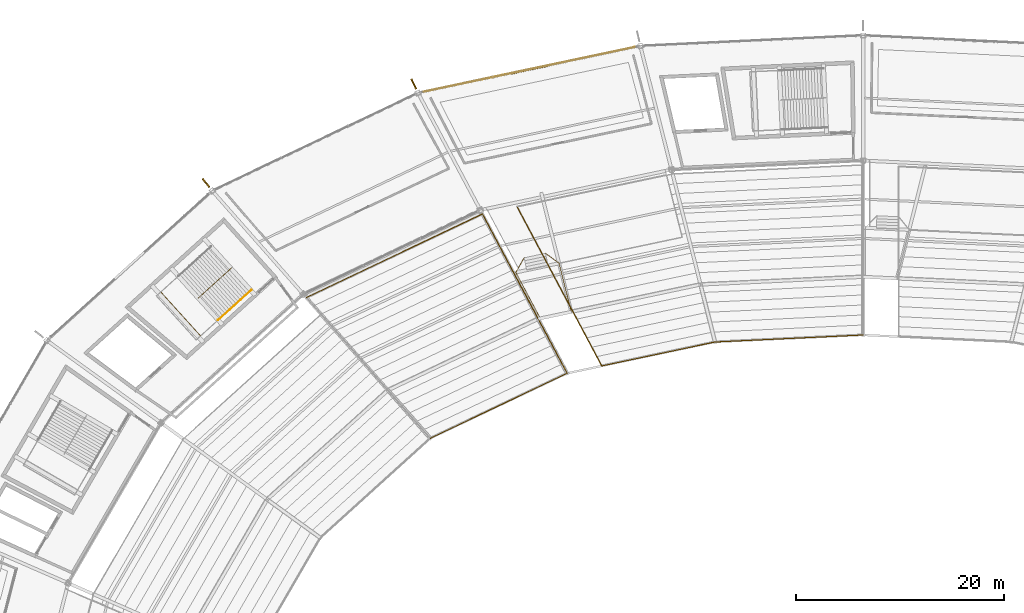
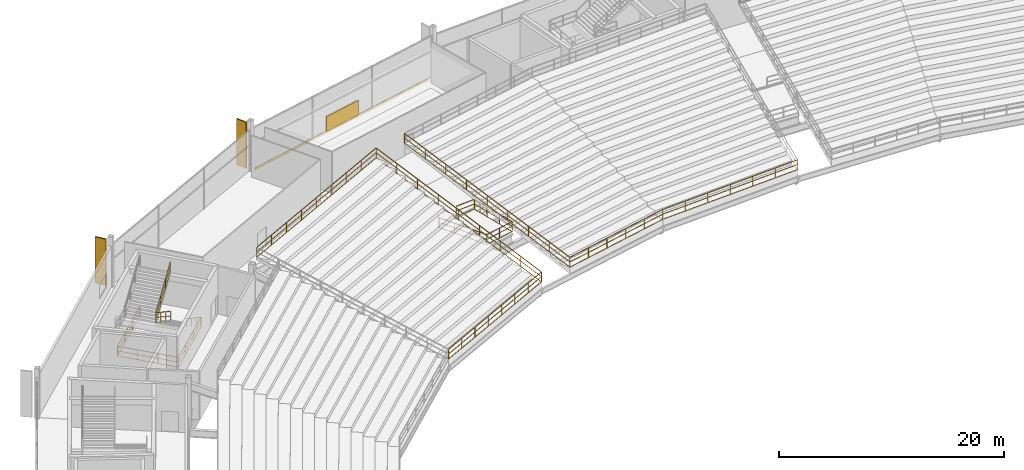
# One storey, part 182 of 186: 10 railings, 3 shading devices, 1 covering.
"""IFC4 building model written with IfcOpenShell, lengths in metres."""

from ifc_helpers import new_model, si_unit, direction, frame, origin, origin_2d, place, context, subcontext, project, spatial, rectangle, extrude, material, layer, layer_set, type_object, element, save


model = new_model("IFC4")

# Units and contexts
model_context = context("Model", 3, precision=1e-05, world=origin(), true_north=direction((0.0, 1.0)))
body_context = subcontext(model_context, "Body", "Model", "MODEL_VIEW")
ifc_project = project(units=[si_unit("LENGTHUNIT", "METRE"), si_unit("AREAUNIT", "SQUARE_METRE"), si_unit("VOLUMEUNIT", "CUBIC_METRE"), si_unit("PLANEANGLEUNIT", "RADIAN"), si_unit("MASSUNIT", "GRAM", prefix="KILO")], contexts=[model_context])

# Site, building, storey
site_placement = place(None, origin())
site = spatial("IfcSite", under=ifc_project, at=site_placement, CompositionType="ELEMENT")
building_placement = place(site_placement, origin())
building = spatial("IfcBuilding", under=site, at=building_placement, Name="Kazemori Nagisa Stadium", CompositionType="ELEMENT")
storey_placement = place(building_placement, frame((0.0, 0.0, 20.39990234375)))
storey = spatial("IfcBuildingStorey", under=building, at=storey_placement, Name="L04", CompositionType="ELEMENT", Elevation=20.39990234375)

# Covering
ifc_material_1 = material(Name="Anodised aluminium 6063-T5", Category="aluminium")
ifc_layer = layer(ifc_material_1, 0.034912109375, Name="Anodised aluminium 6063-T5", Category="aluminium")
ifc_layer_set = layer_set([ifc_layer], Name="Anodised aluminium 6063-T5")
covering_type = type_object("IfcCoveringType", Name="Covering_CLAD", PredefinedType="CLADDING", material=ifc_layer_set)
covering_placement = place(storey_placement, frame((90.8837890625, 184.7255859375, -0.259765625), z_axis=(0.0, 0.0, 1.0), x_axis=(-0.978344955407, -0.206981033502, 0.0)))
element("IfcCovering", 1, at=covering_placement, inside=storey, type_object=covering_type, Name="Anodised fascia cladding L04-B09", PredefinedType="CLADDING", context=body_context, shape_type="SweptSolid", body=[
    extrude(rectangle(XDim=20.750244140625, YDim=0.0400390625, at=origin_2d()), origin(), (0.0, 0.0, 1.0), 0.260009765625),
])

# Shading devices
ifc_material_2 = material(Name="Aluminium 6063-T5 anodised", Category="aluminium")
shading_device_type_1 = type_object("IfcShadingDeviceType", Name="Fin_FN03", PredefinedType="USERDEFINED", material=ifc_material_2)
for number, where, z_axis, x_axis, name in (
    (2, (79.781005859375, 183.32470703125, 0.0), (0.0, 0.0, 1.0), (-0.433883739113, 0.900968867905, 0.0), "Aerodynamic wave shading fin L04-10"),
    (3, (59.806640625, 173.8056640625, 0.0), (0.0, 0.0, 1.0), (-0.623489801853, 0.781831482473, 0.0), "Aerodynamic wave shading fin L04-11"),
):
    element("IfcShadingDevice", number, at=place(storey_placement, frame(where, z_axis=z_axis, x_axis=x_axis)), inside=storey, type_object=shading_device_type_1, Name=name, ObjectType="FIN", PredefinedType="USERDEFINED", context=body_context, shape_type="SweptSolid", body=[
        extrude(rectangle(XDim=1.050048828125, YDim=0.139892578125, at=origin_2d()), origin(), (0.0, 0.0, 1.0), 5.0),
    ])
shading_device_type_2 = type_object("IfcShadingDeviceType", Name="Louvre_LV02", PredefinedType="JALOUSIE", material=ifc_material_2)
shading_device_placement = place(storey_placement, frame((90.8837890625, 184.7255859375, -0.010009765625), z_axis=(0.0, 0.0, 1.0), x_axis=(-0.978344955407, -0.206981033502, 0.0)))
element("IfcShadingDevice", 4, at=shading_device_placement, inside=storey, type_object=shading_device_type_2, Name="Concourse ventilation louvre L04-B09", PredefinedType="JALOUSIE", context=body_context, shape_type="SweptSolid", body=[
    extrude(rectangle(XDim=3.800048828125, YDim=0.179931640625, at=origin_2d()), origin(), (0.0, 0.0, 1.0), 1.60009765625),
])

# Railings
ifc_material_3 = material(Name="Galvanised powder-coated steel", Category="steel")
railing_type_1 = type_object("IfcRailingType", Name="Rail_GUARD", PredefinedType="GUARDRAIL", material=ifc_material_3)
railing_1_placement = place(storey_placement, frame((64.12109375, 163.4794921875, 0.0)))
element("IfcRailing", 5, at=railing_1_placement, inside=storey, type_object=railing_type_1, Name="Stair well perimeter guard ST02-L04", PredefinedType="GUARDRAIL", context=body_context, shape_type="SweptSolid", body=[
    extrude(rectangle(XDim=0.050048828125, YDim=0.050048828125, at=origin_2d()), frame((0.0, 0.0, 1.09521484375), z_axis=(-0.741331867292, -0.671138631385, 0.0), x_axis=(0.671138631385, -0.741331867292, 0.0)), (0.0, 0.0, 1.0), 6.52490234375),
    extrude(rectangle(XDim=0.03759765625, YDim=0.03759765625, at=origin_2d()), frame((0.0, 0.0, 0.58251953125), z_axis=(-0.741331867292, -0.671138631385, 0.0), x_axis=(0.671138631385, -0.741331867292, 0.0)), (0.0, 0.0, 1.0), 6.52490234375),
    extrude(rectangle(XDim=0.03759765625, YDim=0.03759765625, at=origin_2d()), frame((0.0, 0.0, 0.02490234375), z_axis=(-0.741331867292, -0.671138631385, 0.0), x_axis=(0.671138631385, -0.741331867292, 0.0)), (0.0, 0.0, 1.0), 6.52490234375),
    extrude(rectangle(XDim=0.050048828125, YDim=0.050048828125, at=origin_2d()), frame((-4.837158203125, -4.379150390625, 1.09521484375), z_axis=(-0.671112926645, 0.74135513736, 0.0), x_axis=(-0.74135513736, -0.671112926645, 0.0)), (0.0, 0.0, 1.0), 5.7001953125),
    extrude(rectangle(XDim=0.03759765625, YDim=0.03759765625, at=origin_2d()), frame((-4.837158203125, -4.379150390625, 0.58251953125), z_axis=(-0.671112926645, 0.74135513736, 0.0), x_axis=(-0.74135513736, -0.671112926645, 0.0)), (0.0, 0.0, 1.0), 5.7001953125),
    extrude(rectangle(XDim=0.03759765625, YDim=0.03759765625, at=origin_2d()), frame((-4.837158203125, -4.379150390625, 0.02490234375), z_axis=(-0.671112926645, 0.74135513736, 0.0), x_axis=(-0.74135513736, -0.671112926645, 0.0)), (0.0, 0.0, 1.0), 5.7001953125),
    extrude(rectangle(XDim=0.050048828125, YDim=0.050048828125, at=origin_2d()), frame((-8.66259765625, -0.1533203125, 1.09521484375), z_axis=(0.741367335581, 0.671099451448, 0.0), x_axis=(-0.671099451448, 0.741367335581, 0.0)), (0.0, 0.0, 1.0), 6.52490234375),
    extrude(rectangle(XDim=0.03759765625, YDim=0.03759765625, at=origin_2d()), frame((-8.66259765625, -0.1533203125, 0.58251953125), z_axis=(0.741367335581, 0.671099451448, 0.0), x_axis=(-0.671099451448, 0.741367335581, 0.0)), (0.0, 0.0, 1.0), 6.52490234375),
    extrude(rectangle(XDim=0.03759765625, YDim=0.03759765625, at=origin_2d()), frame((-8.66259765625, -0.1533203125, 0.02490234375), z_axis=(0.741367335581, 0.671099451448, 0.0), x_axis=(-0.671099451448, 0.741367335581, 0.0)), (0.0, 0.0, 1.0), 6.52490234375),
    extrude(rectangle(XDim=0.044921875, YDim=0.044921875, at=origin_2d()), origin(), (0.0, 0.0, 1.0), 1.070068359375),
    extrude(rectangle(XDim=0.044921875, YDim=0.044921875, at=origin_2d()), frame((-1.6123046875, -1.459716796875, 0.0)), (0.0, 0.0, 1.0), 1.070068359375),
    extrude(rectangle(XDim=0.044921875, YDim=0.044921875, at=origin_2d()), frame((-3.224853515625, -2.91943359375, 0.0)), (0.0, 0.0, 1.0), 1.070068359375),
    extrude(rectangle(XDim=0.044921875, YDim=0.044921875, at=origin_2d()), frame((-4.837158203125, -4.379150390625, 0.0)), (0.0, 0.0, 1.0), 1.070068359375),
    extrude(rectangle(XDim=0.044921875, YDim=0.044921875, at=origin_2d()), frame((-6.1123046875, -2.970458984375, 0.0)), (0.0, 0.0, 1.0), 1.070068359375),
    extrude(rectangle(XDim=0.044921875, YDim=0.044921875, at=origin_2d()), frame((-7.387451171875, -1.56201171875, 0.0)), (0.0, 0.0, 1.0), 1.070068359375),
    extrude(rectangle(XDim=0.044921875, YDim=0.044921875, at=origin_2d()), frame((-8.66259765625, -0.1533203125, 0.0)), (0.0, 0.0, 1.0), 1.070068359375),
    extrude(rectangle(XDim=0.044921875, YDim=0.044921875, at=origin_2d()), frame((-7.050048828125, 1.306396484375, 0.0)), (0.0, 0.0, 1.0), 1.070068359375),
    extrude(rectangle(XDim=0.044921875, YDim=0.044921875, at=origin_2d()), frame((-5.437744140625, 2.765869140625, 0.0)), (0.0, 0.0, 1.0), 1.070068359375),
    extrude(rectangle(XDim=0.044921875, YDim=0.044921875, at=origin_2d()), frame((-3.8251953125, 4.2255859375, 0.0)), (0.0, 0.0, 1.0), 1.070068359375),
])
railing_2_placement = place(storey_placement, frame((62.267822265625, 165.64599609375, 0.0)))
element("IfcRailing", 6, at=railing_2_placement, inside=storey, type_object=railing_type_1, Name="Stair central guard ST02-L04", PredefinedType="GUARDRAIL", context=body_context, shape_type="SweptSolid", body=[
    extrude(rectangle(XDim=0.050048828125, YDim=0.050048828125, at=origin_2d()), frame((0.0, 0.0, 1.09521484375), z_axis=(-0.627541812823, -0.568099033934, 0.53240469645), x_axis=(0.67112318634, -0.741345849626, 0.0)), (0.0, 0.0, 1.0), 5.109375),
    extrude(rectangle(XDim=0.03759765625, YDim=0.03759765625, at=origin_2d()), frame((0.0, 0.0, 0.58251953125), z_axis=(-0.627541812823, -0.568099033934, 0.53240469645), x_axis=(0.67112318634, -0.741345849626, 0.0)), (0.0, 0.0, 1.0), 5.109375),
    extrude(rectangle(XDim=0.03759765625, YDim=0.03759765625, at=origin_2d()), frame((0.0, 0.0, 0.02490234375), z_axis=(-0.627541812823, -0.568099033934, 0.53240469645), x_axis=(0.67112318634, -0.741345849626, 0.0)), (0.0, 0.0, 1.0), 5.109375),
    extrude(rectangle(XDim=0.050048828125, YDim=0.050048828125, at=origin_2d()), frame((-3.206298828125, -2.902587890625, 3.8154296875), z_axis=(0.624200602078, 0.565073454279, 0.539504957933), x_axis=(-0.671122625547, 0.741346357298, 0.0)), (0.0, 0.0, 1.0), 5.04150390625),
    extrude(rectangle(XDim=0.03759765625, YDim=0.03759765625, at=origin_2d()), frame((-3.206298828125, -2.902587890625, 3.302734375), z_axis=(0.624200602078, 0.565073454279, 0.539504957933), x_axis=(-0.671122625547, 0.741346357298, 0.0)), (0.0, 0.0, 1.0), 5.04150390625),
    extrude(rectangle(XDim=0.03759765625, YDim=0.03759765625, at=origin_2d()), frame((-3.206298828125, -2.902587890625, 2.7451171875), z_axis=(0.624200602078, 0.565073454279, 0.539504957933), x_axis=(-0.671122625547, 0.741346357298, 0.0)), (0.0, 0.0, 1.0), 5.04150390625),
    extrude(rectangle(XDim=0.044921875, YDim=0.044921875, at=origin_2d()), origin(), (0.0, 0.0, 1.0), 1.070068359375),
    extrude(rectangle(XDim=0.044921875, YDim=0.044921875, at=origin_2d()), frame((-1.06884765625, -0.967529296875, 0.90673828125)), (0.0, 0.0, 1.0), 1.070068359375),
    extrude(rectangle(XDim=0.044921875, YDim=0.044921875, at=origin_2d()), frame((-2.137451171875, -1.93505859375, 1.8134765625)), (0.0, 0.0, 1.0), 1.070068359375),
    extrude(rectangle(XDim=0.044921875, YDim=0.044921875, at=origin_2d()), frame((-3.206298828125, -2.902587890625, 2.72021484375)), (0.0, 0.0, 1.0), 1.070068359375),
    extrude(rectangle(XDim=0.044921875, YDim=0.044921875, at=origin_2d()), frame((-2.1572265625, -1.952880859375, 3.626953125)), (0.0, 0.0, 1.0), 1.070068359375),
    extrude(rectangle(XDim=0.044921875, YDim=0.044921875, at=origin_2d()), frame((-1.1083984375, -1.00341796875, 4.533447265625)), (0.0, 0.0, 1.0), 1.070068359375),
    extrude(rectangle(XDim=0.044921875, YDim=0.044921875, at=origin_2d()), frame((-0.059326171875, -0.0537109375, 5.440185546875)), (0.0, 0.0, 1.0), 1.070068359375),
])
railing_3_placement = place(storey_placement, frame((92.45068359375, 167.046875, 0.0)))
element("IfcRailing", 7, at=railing_3_placement, inside=storey, type_object=railing_type_1, Name="Vomitory upper portal guard VU04", PredefinedType="GUARDRAIL", context=body_context, shape_type="SweptSolid", body=[
    extrude(rectangle(XDim=0.050048828125, YDim=0.050048828125, at=origin_2d()), frame((0.0, 0.0, 1.09521484375), z_axis=(0.707078531942, -0.521465449077, 0.477612536566), x_axis=(0.593538482454, 0.804805609974, 0.0)), (0.0, 0.0, 1.0), 1.8427734375),
    extrude(rectangle(XDim=0.03759765625, YDim=0.03759765625, at=origin_2d()), frame((0.0, 0.0, 0.58251953125), z_axis=(0.707078531942, -0.521465449077, 0.477612536566), x_axis=(0.593538482454, 0.804805609974, 0.0)), (0.0, 0.0, 1.0), 1.8427734375),
    extrude(rectangle(XDim=0.03759765625, YDim=0.03759765625, at=origin_2d()), frame((0.0, 0.0, 0.02490234375), z_axis=(0.707078531942, -0.521465449077, 0.477612536566), x_axis=(0.593538482454, 0.804805609974, 0.0)), (0.0, 0.0, 1.0), 1.8427734375),
    extrude(rectangle(XDim=0.050048828125, YDim=0.050048828125, at=origin_2d()), frame((1.302978515625, -0.9609375, 1.97509765625), z_axis=(0.244465630583, -0.969657957975, 0.0), x_axis=(0.969657957975, 0.244465630583, 0.0)), (0.0, 0.0, 1.0), 4.820556640625),
    extrude(rectangle(XDim=0.03759765625, YDim=0.03759765625, at=origin_2d()), frame((1.302978515625, -0.9609375, 1.462646484375), z_axis=(0.244465630583, -0.969657957975, 0.0), x_axis=(0.969657957975, 0.244465630583, 0.0)), (0.0, 0.0, 1.0), 4.820556640625),
    extrude(rectangle(XDim=0.03759765625, YDim=0.03759765625, at=origin_2d()), frame((1.302978515625, -0.9609375, 0.9052734375), z_axis=(0.244465630583, -0.969657957975, 0.0), x_axis=(0.969657957975, 0.244465630583, 0.0)), (0.0, 0.0, 1.0), 4.820556640625),
    extrude(rectangle(XDim=0.050048828125, YDim=0.050048828125, at=origin_2d()), frame((2.4814453125, -5.63525390625, 1.97509765625), z_axis=(-0.978340351441, -0.207002794046, 0.0), x_axis=(0.207002794046, -0.978340351441, 0.0)), (0.0, 0.0, 1.0), 3.050048828125),
    extrude(rectangle(XDim=0.03759765625, YDim=0.03759765625, at=origin_2d()), frame((2.4814453125, -5.63525390625, 1.462646484375), z_axis=(-0.978340351441, -0.207002794046, 0.0), x_axis=(0.207002794046, -0.978340351441, 0.0)), (0.0, 0.0, 1.0), 3.050048828125),
    extrude(rectangle(XDim=0.03759765625, YDim=0.03759765625, at=origin_2d()), frame((2.4814453125, -5.63525390625, 0.9052734375), z_axis=(-0.978340351441, -0.207002794046, 0.0), x_axis=(0.207002794046, -0.978340351441, 0.0)), (0.0, 0.0, 1.0), 3.050048828125),
    extrude(rectangle(XDim=0.050048828125, YDim=0.050048828125, at=origin_2d()), frame((-0.50244140625, -6.2666015625, 1.97509765625), z_axis=(-0.469650127636, 0.882852625081, 0.0), x_axis=(-0.882852625081, -0.469650127636, 0.0)), (0.0, 0.0, 1.0), 5.0126953125),
    extrude(rectangle(XDim=0.03759765625, YDim=0.03759765625, at=origin_2d()), frame((-0.50244140625, -6.2666015625, 1.462646484375), z_axis=(-0.469650127636, 0.882852625081, 0.0), x_axis=(-0.882852625081, -0.469650127636, 0.0)), (0.0, 0.0, 1.0), 5.0126953125),
    extrude(rectangle(XDim=0.03759765625, YDim=0.03759765625, at=origin_2d()), frame((-0.50244140625, -6.2666015625, 0.9052734375), z_axis=(-0.469650127636, 0.882852625081, 0.0), x_axis=(-0.882852625081, -0.469650127636, 0.0)), (0.0, 0.0, 1.0), 5.0126953125),
    extrude(rectangle(XDim=0.050048828125, YDim=0.050048828125, at=origin_2d()), frame((-2.856689453125, -1.841064453125, 1.97509765625), z_axis=(0.435199093202, 0.763221301655, -0.477592916589), x_axis=(-0.868697465409, 0.495343026188, 0.0)), (0.0, 0.0, 1.0), 1.8427734375),
    extrude(rectangle(XDim=0.03759765625, YDim=0.03759765625, at=origin_2d()), frame((-2.856689453125, -1.841064453125, 1.462646484375), z_axis=(0.435199093202, 0.763221301655, -0.477592916589), x_axis=(-0.868697465409, 0.495343026188, 0.0)), (0.0, 0.0, 1.0), 1.8427734375),
    extrude(rectangle(XDim=0.03759765625, YDim=0.03759765625, at=origin_2d()), frame((-2.856689453125, -1.841064453125, 0.9052734375), z_axis=(0.435199093202, 0.763221301655, -0.477592916589), x_axis=(-0.868697465409, 0.495343026188, 0.0)), (0.0, 0.0, 1.0), 1.8427734375),
    extrude(rectangle(XDim=0.044921875, YDim=0.044921875, at=origin_2d()), origin(), (0.0, 0.0, 1.0), 1.070068359375),
    extrude(rectangle(XDim=0.044921875, YDim=0.044921875, at=origin_2d()), frame((1.302978515625, -0.9609375, 0.880126953125)), (0.0, 0.0, 1.0), 1.070068359375),
    extrude(rectangle(XDim=0.044921875, YDim=0.044921875, at=origin_2d()), frame((1.69580078125, -2.51904296875, 0.880126953125)), (0.0, 0.0, 1.0), 1.070068359375),
    extrude(rectangle(XDim=0.044921875, YDim=0.044921875, at=origin_2d()), frame((2.088623046875, -4.0771484375, 0.880126953125)), (0.0, 0.0, 1.0), 1.070068359375),
    extrude(rectangle(XDim=0.044921875, YDim=0.044921875, at=origin_2d()), frame((2.4814453125, -5.63525390625, 0.880126953125)), (0.0, 0.0, 1.0), 1.070068359375),
    extrude(rectangle(XDim=0.044921875, YDim=0.044921875, at=origin_2d()), frame((0.989501953125, -5.950927734375, 0.880126953125)), (0.0, 0.0, 1.0), 1.070068359375),
    extrude(rectangle(XDim=0.044921875, YDim=0.044921875, at=origin_2d()), frame((-0.50244140625, -6.2666015625, 0.880126953125)), (0.0, 0.0, 1.0), 1.070068359375),
    extrude(rectangle(XDim=0.044921875, YDim=0.044921875, at=origin_2d()), frame((-1.287109375, -4.79150390625, 0.880126953125)), (0.0, 0.0, 1.0), 1.070068359375),
    extrude(rectangle(XDim=0.044921875, YDim=0.044921875, at=origin_2d()), frame((-2.072021484375, -3.316162109375, 0.880126953125)), (0.0, 0.0, 1.0), 1.070068359375),
    extrude(rectangle(XDim=0.044921875, YDim=0.044921875, at=origin_2d()), frame((-2.856689453125, -1.841064453125, 0.880126953125)), (0.0, 0.0, 1.0), 1.070068359375),
    extrude(rectangle(XDim=0.044921875, YDim=0.044921875, at=origin_2d()), frame((-2.0546875, -0.4345703125, 0.0)), (0.0, 0.0, 1.0), 1.070068359375),
])
railing_4_placement = place(storey_placement, frame((123.0, 159.18994140625, -0.8798828125)))
element("IfcRailing", 8, at=railing_4_placement, inside=storey, type_object=railing_type_1, Name="Upper tier front crowd barrier B08", PredefinedType="GUARDRAIL", context=body_context, shape_type="SweptSolid", body=[
    extrude(rectangle(XDim=0.050048828125, YDim=0.050048828125, at=origin_2d()), frame((0.0, 0.0, 1.09521484375), z_axis=(-0.998884610737, -0.047217946082, 0.0), x_axis=(0.047217946082, -0.998884610737, 0.0)), (0.0, 0.0, 1.0), 14.265380859375),
    extrude(rectangle(XDim=0.03759765625, YDim=0.03759765625, at=origin_2d()), frame((0.0, 0.0, 0.58251953125), z_axis=(-0.998884610737, -0.047217946082, 0.0), x_axis=(0.047217946082, -0.998884610737, 0.0)), (0.0, 0.0, 1.0), 14.265380859375),
    extrude(rectangle(XDim=0.03759765625, YDim=0.03759765625, at=origin_2d()), frame((0.0, 0.0, 0.02490234375), z_axis=(-0.998884610737, -0.047217946082, 0.0), x_axis=(0.047217946082, -0.998884610737, 0.0)), (0.0, 0.0, 1.0), 14.265380859375),
    extrude(rectangle(XDim=0.044921875, YDim=0.044921875, at=origin_2d()), origin(), (0.0, 0.0, 1.0), 1.070068359375),
    extrude(rectangle(XDim=0.044921875, YDim=0.044921875, at=origin_2d()), frame((-2.375, -0.1123046875, 0.0)), (0.0, 0.0, 1.0), 1.070068359375),
    extrude(rectangle(XDim=0.044921875, YDim=0.044921875, at=origin_2d()), frame((-4.749755859375, -0.224609375, 0.0)), (0.0, 0.0, 1.0), 1.070068359375),
    extrude(rectangle(XDim=0.044921875, YDim=0.044921875, at=origin_2d()), frame((-7.124755859375, -0.3369140625, 0.0)), (0.0, 0.0, 1.0), 1.070068359375),
    extrude(rectangle(XDim=0.044921875, YDim=0.044921875, at=origin_2d()), frame((-9.499755859375, -0.448974609375, 0.0)), (0.0, 0.0, 1.0), 1.070068359375),
    extrude(rectangle(XDim=0.044921875, YDim=0.044921875, at=origin_2d()), frame((-11.87451171875, -0.561279296875, 0.0)), (0.0, 0.0, 1.0), 1.070068359375),
    extrude(rectangle(XDim=0.044921875, YDim=0.044921875, at=origin_2d()), frame((-14.24951171875, -0.673583984375, 0.0)), (0.0, 0.0, 1.0), 1.070068359375),
])
railing_5_placement = place(storey_placement, frame((108.75048828125, 158.516357421875, -0.8798828125)))
element("IfcRailing", 9, at=railing_5_placement, inside=storey, type_object=railing_type_1, Name="Upper tier front crowd barrier B09", PredefinedType="GUARDRAIL", context=body_context, shape_type="SweptSolid", body=[
    extrude(rectangle(XDim=0.050048828125, YDim=0.050048828125, at=origin_2d()), frame((0.0, 0.0, 1.09521484375), z_axis=(-0.978340990404, -0.206999774146, 0.0), x_axis=(0.206999774146, -0.978340990404, 0.0)), (0.0, 0.0, 1.0), 11.130126953125),
    extrude(rectangle(XDim=0.03759765625, YDim=0.03759765625, at=origin_2d()), frame((0.0, 0.0, 0.58251953125), z_axis=(-0.978340990404, -0.206999774146, 0.0), x_axis=(0.206999774146, -0.978340990404, 0.0)), (0.0, 0.0, 1.0), 11.130126953125),
    extrude(rectangle(XDim=0.03759765625, YDim=0.03759765625, at=origin_2d()), frame((0.0, 0.0, 0.02490234375), z_axis=(-0.978340990404, -0.206999774146, 0.0), x_axis=(0.206999774146, -0.978340990404, 0.0)), (0.0, 0.0, 1.0), 11.130126953125),
    extrude(rectangle(XDim=0.044921875, YDim=0.044921875, at=origin_2d()), origin(), (0.0, 0.0, 1.0), 1.070068359375),
    extrude(rectangle(XDim=0.044921875, YDim=0.044921875, at=origin_2d()), frame((-2.177734375, -0.460693359375, 0.0)), (0.0, 0.0, 1.0), 1.070068359375),
    extrude(rectangle(XDim=0.044921875, YDim=0.044921875, at=origin_2d()), frame((-4.355712890625, -0.921630859375, 0.0)), (0.0, 0.0, 1.0), 1.070068359375),
    extrude(rectangle(XDim=0.044921875, YDim=0.044921875, at=origin_2d()), frame((-6.533447265625, -1.38232421875, 0.0)), (0.0, 0.0, 1.0), 1.070068359375),
    extrude(rectangle(XDim=0.044921875, YDim=0.044921875, at=origin_2d()), frame((-8.71142578125, -1.84326171875, 0.0)), (0.0, 0.0, 1.0), 1.070068359375),
    extrude(rectangle(XDim=0.044921875, YDim=0.044921875, at=origin_2d()), frame((-10.88916015625, -2.303955078125, 0.0)), (0.0, 0.0, 1.0), 1.070068359375),
])
railing_6_placement = place(storey_placement, frame((97.861328125, 156.21240234375, -0.8798828125)))
element("IfcRailing", 10, at=railing_6_placement, inside=storey, type_object=railing_type_1, Name="Upper tier radial step guard B09R", PredefinedType="GUARDRAIL", context=body_context, shape_type="SweptSolid", body=[
    extrude(rectangle(XDim=0.050048828125, YDim=0.050048828125, at=origin_2d()), frame((0.0, 0.0, 1.09521484375), z_axis=(-0.435204633895, 0.818092933253, 0.375926693916), x_axis=(-0.882850545584, -0.469654036671, 0.0)), (0.0, 0.0, 1.0), 18.72705078125),
    extrude(rectangle(XDim=0.03759765625, YDim=0.03759765625, at=origin_2d()), frame((0.0, 0.0, 0.58251953125), z_axis=(-0.435204633895, 0.818092933253, 0.375926693916), x_axis=(-0.882850545584, -0.469654036671, 0.0)), (0.0, 0.0, 1.0), 18.72705078125),
    extrude(rectangle(XDim=0.03759765625, YDim=0.03759765625, at=origin_2d()), frame((0.0, 0.0, 0.02490234375), z_axis=(-0.435204633895, 0.818092933253, 0.375926693916), x_axis=(-0.882850545584, -0.469654036671, 0.0)), (0.0, 0.0, 1.0), 18.72705078125),
    extrude(rectangle(XDim=0.044921875, YDim=0.044921875, at=origin_2d()), origin(), (0.0, 0.0, 1.0), 1.070068359375),
    extrude(rectangle(XDim=0.044921875, YDim=0.044921875, at=origin_2d()), frame((-1.018798828125, 1.9150390625, 0.8798828125)), (0.0, 0.0, 1.0), 1.070068359375),
    extrude(rectangle(XDim=0.044921875, YDim=0.044921875, at=origin_2d()), frame((-2.03759765625, 3.830078125, 1.760009765625)), (0.0, 0.0, 1.0), 1.070068359375),
    extrude(rectangle(XDim=0.044921875, YDim=0.044921875, at=origin_2d()), frame((-3.056396484375, 5.7451171875, 2.64013671875)), (0.0, 0.0, 1.0), 1.070068359375),
    extrude(rectangle(XDim=0.044921875, YDim=0.044921875, at=origin_2d()), frame((-4.0751953125, 7.66015625, 3.52001953125)), (0.0, 0.0, 1.0), 1.070068359375),
    extrude(rectangle(XDim=0.044921875, YDim=0.044921875, at=origin_2d()), frame((-5.09375, 9.575439453125, 4.39990234375)), (0.0, 0.0, 1.0), 1.070068359375),
    extrude(rectangle(XDim=0.044921875, YDim=0.044921875, at=origin_2d()), frame((-6.112548828125, 11.490478515625, 5.280029296875)), (0.0, 0.0, 1.0), 1.070068359375),
    extrude(rectangle(XDim=0.044921875, YDim=0.044921875, at=origin_2d()), frame((-7.13134765625, 13.405517578125, 6.16015625)), (0.0, 0.0, 1.0), 1.070068359375),
    extrude(rectangle(XDim=0.044921875, YDim=0.044921875, at=origin_2d()), frame((-8.150146484375, 15.320556640625, 7.0400390625)), (0.0, 0.0, 1.0), 1.070068359375),
])
railing_7_placement = place(storey_placement, frame((94.534912109375, 155.5087890625, -0.8798828125)))
element("IfcRailing", 11, at=railing_7_placement, inside=storey, type_object=railing_type_1, Name="Upper tier front crowd barrier B10", PredefinedType="GUARDRAIL", context=body_context, shape_type="SweptSolid", body=[
    extrude(rectangle(XDim=0.050048828125, YDim=0.050048828125, at=origin_2d()), frame((0.0, 0.0, 1.09521484375), z_axis=(-0.903213541292, -0.429191447757, 0.0), x_axis=(0.429191447757, -0.903213541292, 0.0)), (0.0, 0.0, 1.0), 14.572998046875),
    extrude(rectangle(XDim=0.03759765625, YDim=0.03759765625, at=origin_2d()), frame((0.0, 0.0, 0.58251953125), z_axis=(-0.903213541292, -0.429191447757, 0.0), x_axis=(0.429191447757, -0.903213541292, 0.0)), (0.0, 0.0, 1.0), 14.572998046875),
    extrude(rectangle(XDim=0.03759765625, YDim=0.03759765625, at=origin_2d()), frame((0.0, 0.0, 0.02490234375), z_axis=(-0.903213541292, -0.429191447757, 0.0), x_axis=(0.429191447757, -0.903213541292, 0.0)), (0.0, 0.0, 1.0), 14.572998046875),
    extrude(rectangle(XDim=0.044921875, YDim=0.044921875, at=origin_2d()), origin(), (0.0, 0.0, 1.0), 1.070068359375),
    extrude(rectangle(XDim=0.044921875, YDim=0.044921875, at=origin_2d()), frame((-1.88037109375, -0.8935546875, 0.0)), (0.0, 0.0, 1.0), 1.070068359375),
    extrude(rectangle(XDim=0.044921875, YDim=0.044921875, at=origin_2d()), frame((-3.7607421875, -1.787109375, 0.0)), (0.0, 0.0, 1.0), 1.070068359375),
    extrude(rectangle(XDim=0.044921875, YDim=0.044921875, at=origin_2d()), frame((-5.64111328125, -2.6806640625, 0.0)), (0.0, 0.0, 1.0), 1.070068359375),
    extrude(rectangle(XDim=0.044921875, YDim=0.044921875, at=origin_2d()), frame((-7.521484375, -3.573974609375, 0.0)), (0.0, 0.0, 1.0), 1.070068359375),
    extrude(rectangle(XDim=0.044921875, YDim=0.044921875, at=origin_2d()), frame((-9.40185546875, -4.467529296875, 0.0)), (0.0, 0.0, 1.0), 1.070068359375),
    extrude(rectangle(XDim=0.044921875, YDim=0.044921875, at=origin_2d()), frame((-11.2822265625, -5.361083984375, 0.0)), (0.0, 0.0, 1.0), 1.070068359375),
    extrude(rectangle(XDim=0.044921875, YDim=0.044921875, at=origin_2d()), frame((-13.16259765625, -6.254638671875, 0.0)), (0.0, 0.0, 1.0), 1.070068359375),
])
railing_8_placement = place(storey_placement, frame((86.384765625, 170.8291015625, 6.16015625)))
element("IfcRailing", 12, at=railing_8_placement, inside=storey, type_object=railing_type_1, Name="Upper tier rear guard B10", PredefinedType="GUARDRAIL", context=body_context, shape_type="SweptSolid", body=[
    extrude(rectangle(XDim=0.050048828125, YDim=0.050048828125, at=origin_2d()), frame((0.0, 0.0, 1.09521484375), z_axis=(-0.903218186797, -0.42918167137, 0.0), x_axis=(0.42918167137, -0.903218186797, 0.0)), (0.0, 0.0, 1.0), 18.745361328125),
    extrude(rectangle(XDim=0.03759765625, YDim=0.03759765625, at=origin_2d()), frame((0.0, 0.0, 0.58251953125), z_axis=(-0.903218186797, -0.42918167137, 0.0), x_axis=(0.42918167137, -0.903218186797, 0.0)), (0.0, 0.0, 1.0), 18.745361328125),
    extrude(rectangle(XDim=0.03759765625, YDim=0.03759765625, at=origin_2d()), frame((0.0, 0.0, 0.02490234375), z_axis=(-0.903218186797, -0.42918167137, 0.0), x_axis=(0.42918167137, -0.903218186797, 0.0)), (0.0, 0.0, 1.0), 18.745361328125),
    extrude(rectangle(XDim=0.044921875, YDim=0.044921875, at=origin_2d()), origin(), (0.0, 0.0, 1.0), 1.070068359375),
    extrude(rectangle(XDim=0.044921875, YDim=0.044921875, at=origin_2d()), frame((-2.116455078125, -1.005615234375, 0.0)), (0.0, 0.0, 1.0), 1.070068359375),
    extrude(rectangle(XDim=0.044921875, YDim=0.044921875, at=origin_2d()), frame((-4.23291015625, -2.01123046875, 0.0)), (0.0, 0.0, 1.0), 1.070068359375),
    extrude(rectangle(XDim=0.044921875, YDim=0.044921875, at=origin_2d()), frame((-6.34912109375, -3.016845703125, 0.0)), (0.0, 0.0, 1.0), 1.070068359375),
    extrude(rectangle(XDim=0.044921875, YDim=0.044921875, at=origin_2d()), frame((-8.465576171875, -4.0224609375, 0.0)), (0.0, 0.0, 1.0), 1.070068359375),
    extrude(rectangle(XDim=0.044921875, YDim=0.044921875, at=origin_2d()), frame((-10.58203125, -5.0283203125, 0.0)), (0.0, 0.0, 1.0), 1.070068359375),
    extrude(rectangle(XDim=0.044921875, YDim=0.044921875, at=origin_2d()), frame((-12.6982421875, -6.033935546875, 0.0)), (0.0, 0.0, 1.0), 1.070068359375),
    extrude(rectangle(XDim=0.044921875, YDim=0.044921875, at=origin_2d()), frame((-14.814697265625, -7.03955078125, 0.0)), (0.0, 0.0, 1.0), 1.070068359375),
    extrude(rectangle(XDim=0.044921875, YDim=0.044921875, at=origin_2d()), frame((-16.93115234375, -8.045166015625, 0.0)), (0.0, 0.0, 1.0), 1.070068359375),
])
railing_9_placement = place(storey_placement, frame((94.534912109375, 155.5087890625, -0.8798828125)))
element("IfcRailing", 13, at=railing_9_placement, inside=storey, type_object=railing_type_1, Name="Upper tier radial step guard B10L", PredefinedType="GUARDRAIL", context=body_context, shape_type="SweptSolid", body=[
    extrude(rectangle(XDim=0.050048828125, YDim=0.050048828125, at=origin_2d()), frame((0.0, 0.0, 1.09521484375), z_axis=(-0.435209275495, 0.81808862163, 0.375930703298), x_axis=(-0.882847442333, -0.469659870082, 0.0)), (0.0, 0.0, 1.0), 18.72705078125),
    extrude(rectangle(XDim=0.03759765625, YDim=0.03759765625, at=origin_2d()), frame((0.0, 0.0, 0.58251953125), z_axis=(-0.435209275495, 0.81808862163, 0.375930703298), x_axis=(-0.882847442333, -0.469659870082, 0.0)), (0.0, 0.0, 1.0), 18.72705078125),
    extrude(rectangle(XDim=0.03759765625, YDim=0.03759765625, at=origin_2d()), frame((0.0, 0.0, 0.02490234375), z_axis=(-0.435209275495, 0.81808862163, 0.375930703298), x_axis=(-0.882847442333, -0.469659870082, 0.0)), (0.0, 0.0, 1.0), 18.72705078125),
    extrude(rectangle(XDim=0.044921875, YDim=0.044921875, at=origin_2d()), origin(), (0.0, 0.0, 1.0), 1.070068359375),
    extrude(rectangle(XDim=0.044921875, YDim=0.044921875, at=origin_2d()), frame((-1.018798828125, 1.9150390625, 0.8798828125)), (0.0, 0.0, 1.0), 1.070068359375),
    extrude(rectangle(XDim=0.044921875, YDim=0.044921875, at=origin_2d()), frame((-2.03759765625, 3.830078125, 1.760009765625)), (0.0, 0.0, 1.0), 1.070068359375),
    extrude(rectangle(XDim=0.044921875, YDim=0.044921875, at=origin_2d()), frame((-3.056396484375, 5.7451171875, 2.64013671875)), (0.0, 0.0, 1.0), 1.070068359375),
    extrude(rectangle(XDim=0.044921875, YDim=0.044921875, at=origin_2d()), frame((-4.0751953125, 7.66015625, 3.52001953125)), (0.0, 0.0, 1.0), 1.070068359375),
    extrude(rectangle(XDim=0.044921875, YDim=0.044921875, at=origin_2d()), frame((-5.09375, 9.5751953125, 4.39990234375)), (0.0, 0.0, 1.0), 1.070068359375),
    extrude(rectangle(XDim=0.044921875, YDim=0.044921875, at=origin_2d()), frame((-6.112548828125, 11.490234375, 5.280029296875)), (0.0, 0.0, 1.0), 1.070068359375),
    extrude(rectangle(XDim=0.044921875, YDim=0.044921875, at=origin_2d()), frame((-7.13134765625, 13.4052734375, 6.16015625)), (0.0, 0.0, 1.0), 1.070068359375),
    extrude(rectangle(XDim=0.044921875, YDim=0.044921875, at=origin_2d()), frame((-8.150146484375, 15.3203125, 7.0400390625)), (0.0, 0.0, 1.0), 1.070068359375),
])
ifc_material_4 = material(Name="Stainless steel SUS304", Category="steel")
railing_type_2 = type_object("IfcRailingType", Name="Rail_HAND", PredefinedType="HANDRAIL", material=ifc_material_4)
railing_10_placement = place(storey_placement, frame((64.180419921875, 163.533203125, 0.170166015625)))
element("IfcRailing", 14, at=railing_10_placement, inside=storey, type_object=railing_type_2, Name="Stair handrail ST02-L04-F1", PredefinedType="HANDRAIL", context=body_context, shape_type="SweptSolid", body=[
    extrude(rectangle(XDim=0.050048828125, YDim=0.050048828125, at=origin_2d()), frame((0.0, 0.0, 0.875), z_axis=(-0.627557777508, -0.568113486393, 0.532370456043), x_axis=(0.67112318634, -0.741345849626, 0.0)), (0.0, 0.0, 1.0), 5.109130859375),
    extrude(rectangle(XDim=0.044921875, YDim=0.044921875, at=origin_2d()), origin(), (0.0, 0.0, 1.0), 0.849853515625),
    extrude(rectangle(XDim=0.044921875, YDim=0.044921875, at=origin_2d()), frame((-1.06884765625, -0.967529296875, 0.90673828125)), (0.0, 0.0, 1.0), 0.849853515625),
    extrude(rectangle(XDim=0.044921875, YDim=0.044921875, at=origin_2d()), frame((-2.137451171875, -1.93505859375, 1.813232421875)), (0.0, 0.0, 1.0), 0.849853515625),
    extrude(rectangle(XDim=0.044921875, YDim=0.044921875, at=origin_2d()), frame((-3.206298828125, -2.902587890625, 2.719970703125)), (0.0, 0.0, 1.0), 0.849853515625),
])

save(model, "model.ifc")
